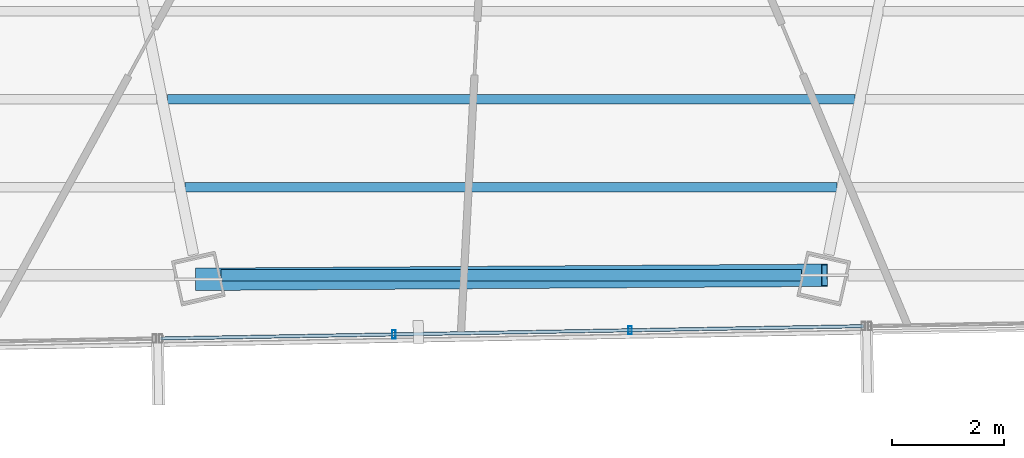
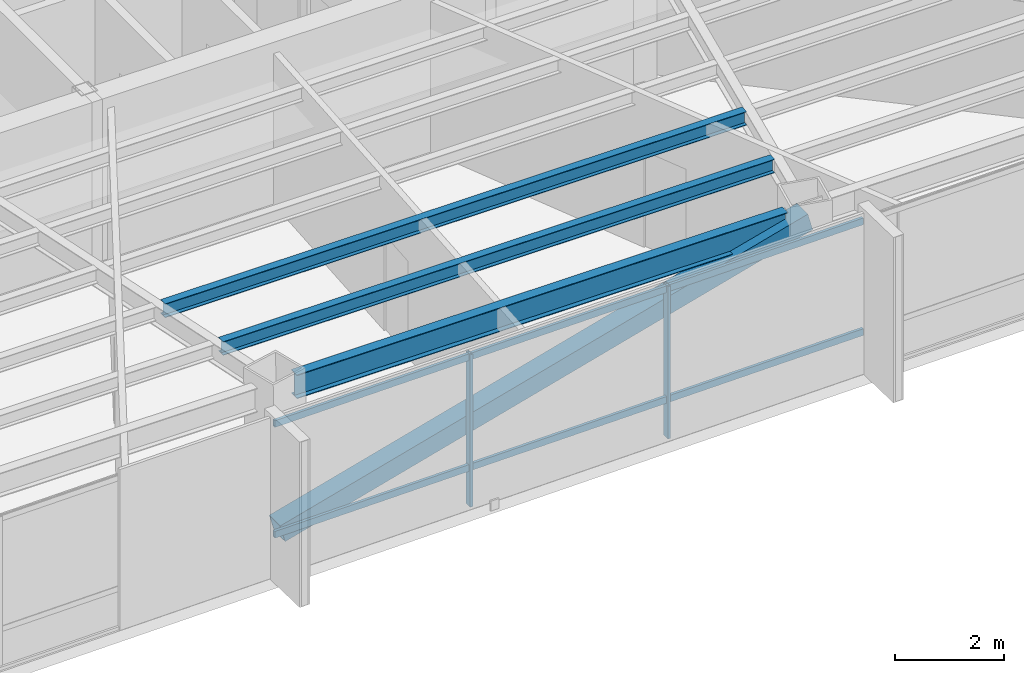
# One storey, part 11 of 42: 5 members, 3 beams, 1 element without a shape of its own.
"""IFC4 building model written with IfcOpenShell, lengths in metres."""

from ifc_helpers import new_model, si_unit, direction, frame, origin, origin_2d, place, context, subcontext, project, spatial, hollow_rectangle, i_section, extrude, source, transform, mapped, material, material_profile, profile_set, type_object, type_shapes, element, aggregate, save


model = new_model("IFC4")

# Units and contexts
model_context = context("Model", 3, precision=1e-05, world=origin(), true_north=direction((0.0, 1.0)))
body_context = subcontext(model_context, "Body", "Model", "MODEL_VIEW")
ifc_project = project(units=[si_unit("LENGTHUNIT", "METRE"), si_unit("AREAUNIT", "SQUARE_METRE"), si_unit("VOLUMEUNIT", "CUBIC_METRE"), si_unit("PLANEANGLEUNIT", "RADIAN"), si_unit("MASSUNIT", "GRAM", prefix="KILO")], contexts=[model_context])

# Site, building, storey
site_placement = place(None, origin())
site = spatial("IfcSite", under=ifc_project, at=site_placement, CompositionType="ELEMENT")
building_placement = place(site_placement, origin())
building = spatial("IfcBuilding", under=site, at=building_placement, Name="Caelisora Broadcast Tower", CompositionType="ELEMENT")
storey_placement = place(building_placement, frame((0.0, 0.0, 184.050048828125)))
storey = spatial("IfcBuildingStorey", under=building, at=storey_placement, Name="L48", CompositionType="ELEMENT", Elevation=184.050048828125)

# Beams
ifc_material_1 = material(Name="Steel Grade 350 (AS/NZS 3679.1)", Category="steel")
ifc_material_profile_1 = material_profile(ifc_material_1, i_section(OverallWidth=0.208984375, OverallDepth=0.532958984375, WebThickness=0.01025390625, FlangeThickness=0.015625, at=origin_2d()), Name="Steel Grade 350 (AS/NZS 3679.1)")
ifc_profile_set_1 = profile_set([ifc_material_profile_1], Name="Steel Grade 350 (AS/NZS 3679.1)")
beam_type_1 = type_object("IfcBeamType", Name="PG05", PredefinedType="BEAM", material=ifc_profile_set_1)
shared_shape_1 = source(origin(), body_context, "Body", "SweptSolid", [
    extrude(i_section(OverallWidth=0.208984375, OverallDepth=0.532958984375, WebThickness=0.01025390625, FlangeThickness=0.015625, at=origin_2d()), origin(), (0.0, 0.0, 1.0), 10.3603515625),
])
type_shapes(beam_type_1, [shared_shape_1])
beam_1_placement = place(storey_placement, frame((32.81982421875, 7.97119140625, 3.133544921875), z_axis=(1.0, 0.0, 0.0), x_axis=(0.0, 1.0, 0.0)))
element("IfcBeam", 1, at=beam_1_placement, inside=storey, type_object=beam_type_1, Name="L48 beam PG05", PredefinedType="BEAM", context=body_context, shape_type="MappedRepresentation", body=[
    mapped(shared_shape_1, transform((0.0, 0.0, 0.0), scale=1.0)),
])
ifc_material_profile_2 = material_profile(ifc_material_1, i_section(OverallWidth=0.166015625, OverallDepth=0.30712890625, WebThickness=0.006591796875, FlangeThickness=0.01171875, at=origin_2d()), Name="Steel Grade 350 (AS/NZS 3679.1)")
ifc_profile_set_2 = profile_set([ifc_material_profile_2], Name="Steel Grade 350 (AS/NZS 3679.1)")
beam_type_2 = type_object("IfcBeamType", Name="SB03", PredefinedType="JOIST", material=ifc_profile_set_2)
shared_shape_2 = source(origin(), body_context, "Body", "SweptSolid", [
    extrude(i_section(OverallWidth=0.166015625, OverallDepth=0.30712890625, WebThickness=0.006591796875, FlangeThickness=0.01171875, at=origin_2d()), origin(), (0.0, 0.0, 1.0), 12.27294921875),
])
beam_2_placement = place(storey_placement, frame((31.863525390625, 11.114013671875, 3.246337890625), z_axis=(1.0, 0.0, 0.0), x_axis=(0.0, 1.0, 0.0)))
element("IfcBeam", 2, at=beam_2_placement, inside=storey, type_object=beam_type_2, Name="L48 beam SB03", PredefinedType="JOIST", context=body_context, shape_type="MappedRepresentation", body=[
    mapped(shared_shape_2, transform((0.0, 0.0, 0.0), scale=1.0)),
])
shared_shape_3 = source(origin(), body_context, "Body", "SweptSolid", [
    extrude(i_section(OverallWidth=0.166015625, OverallDepth=0.30712890625, WebThickness=0.006591796875, FlangeThickness=0.01171875, at=origin_2d()), origin(), (0.0, 0.0, 1.0), 11.63818359375),
])
type_shapes(beam_type_2, [shared_shape_2, shared_shape_3])
beam_3_placement = place(storey_placement, frame((32.180908203125, 9.542724609375, 3.246337890625), z_axis=(1.0, 0.0, 0.0), x_axis=(0.0, 1.0, 0.0)))
element("IfcBeam", 3, at=beam_3_placement, inside=storey, type_object=beam_type_2, Name="L48 beam SB03", PredefinedType="JOIST", context=body_context, shape_type="MappedRepresentation", body=[
    mapped(shared_shape_3, transform((0.0, 0.0, 0.0), scale=1.0)),
])

# Member
ifc_material_2 = material(Name="Steel Grade 450 (AS/NZS 1163 C450L0)", Category="steel")
ifc_material_profile_3 = material_profile(ifc_material_2, hollow_rectangle(XDim=0.39990234375, YDim=0.39990234375, WallThickness=0.01611328125, at=origin_2d()), Name="Steel Grade 450 (AS/NZS 1163 C450L0)")
ifc_profile_set_3 = profile_set([ifc_material_profile_3], Name="Steel Grade 450 (AS/NZS 1163 C450L0)")
member_type_1 = type_object("IfcMemberType", Name="BR04", PredefinedType="BRACE", material=ifc_profile_set_3)
shared_shape_4 = source(origin(), body_context, "Body", "SweptSolid", [
    extrude(hollow_rectangle(XDim=0.39990234375, YDim=0.39990234375, WallThickness=0.01611328125, at=origin_2d()), origin(), (0.0, 0.0, 1.0), 11.57177734375),
])
type_shapes(member_type_1, [shared_shape_4])
member_1_placement = place(storey_placement, frame((32.420166015625, 7.89892578125, 0.099853515625), z_axis=(0.96579038191, 0.006244925466, 0.259248797713), x_axis=(-0.006465994106, 0.999979095242, 0.0)))
element("IfcMember", 4, at=member_1_placement, inside=storey, type_object=member_type_1, Name="L48 perimeter brace BR04", PredefinedType="BRACE", context=body_context, shape_type="MappedRepresentation", body=[
    mapped(shared_shape_4, transform((0.0, 0.0, 0.0), scale=1.0)),
])

# Curtain wall, members
ifc_material_3 = material(Name="Unitised Aluminium Insulated Shadow-Box Spandrel Curtain Wall", Category="aluminium")
curtain_wall_type = type_object("IfcCurtainWallType", Name="CW-SP2", PredefinedType="NOTDEFINED", material=ifc_material_3)
curtain_wall_placement = place(storey_placement, origin())
curtain_wall = element("IfcCurtainWall", 5, at=curtain_wall_placement, inside=storey, type_object=curtain_wall_type, Name="L48 curtain wall CW-SP2", PredefinedType="NOTDEFINED")
ifc_material_4 = material(Name="Aluminium 6063-T6 Anodised Terracotta Bronze", Category="aluminium")
ifc_material_profile_4 = material_profile(ifc_material_4, hollow_rectangle(XDim=0.06005859375, YDim=0.14990234375, WallThickness=0.00341796875, at=origin_2d()), Name="Aluminium 6063-T6 Anodised Terracotta Bronze")
ifc_profile_set_4 = profile_set([ifc_material_profile_4], Name="Aluminium 6063-T6 Anodised Terracotta Bronze")
member_type_2 = type_object("IfcMemberType", Name="CWM-03", PredefinedType="MULLION", material=ifc_profile_set_4)
shared_shape_5 = source(origin(), body_context, "Body", "SweptSolid", [
    extrude(hollow_rectangle(XDim=0.06005859375, YDim=0.14990234375, WallThickness=0.00341796875, at=origin_2d()), origin(), (0.0, 0.0, 1.0), 3.39990234375),
])
type_shapes(member_type_2, [shared_shape_5])
member_2_placement = place(storey_placement, frame((40.124267578125, 6.9892578125, 0.0), z_axis=(0.0, 0.0, 1.0), x_axis=(1.0, 0.0, 0.0)))
member_2 = element("IfcMember", 6, at=member_2_placement, type_object=member_type_2, Name="L48-CW-B06 mullion #1", PredefinedType="MULLION", context=body_context, shape_type="MappedRepresentation", body=[
    mapped(shared_shape_5, transform((0.0, 0.0, 0.0), scale=1.0)),
])
member_3_placement = place(storey_placement, frame((35.908935546875, 6.915283203125, 0.0), z_axis=(0.0, 0.0, 1.0), x_axis=(1.0, 0.0, 0.0)))
member_3 = element("IfcMember", 7, at=member_3_placement, type_object=member_type_2, Name="L48-CW-B06 mullion #2", PredefinedType="MULLION", context=body_context, shape_type="MappedRepresentation", body=[
    mapped(shared_shape_5, transform((0.0, 0.0, 0.0), scale=1.0)),
])
ifc_material_profile_5 = material_profile(ifc_material_4, hollow_rectangle(XDim=0.06005859375, YDim=0.14990234375, WallThickness=0.00341796875, at=origin_2d()), Name="Aluminium 6063-T6 Anodised Terracotta Bronze")
ifc_profile_set_5 = profile_set([ifc_material_profile_5], Name="Aluminium 6063-T6 Anodised Terracotta Bronze")
member_type_3 = type_object("IfcMemberType", Name="CWT-02", PredefinedType="USERDEFINED", material=ifc_profile_set_5)
shared_shape_6 = source(origin(), body_context, "Body", "SweptSolid", [
    extrude(hollow_rectangle(XDim=0.06005859375, YDim=0.14990234375, WallThickness=0.00341796875, at=origin_2d()), origin(), (0.0, 0.0, 1.0), 12.5478515625),
])
type_shapes(member_type_3, [shared_shape_6])
member_4_placement = place(storey_placement, frame((44.28955078125, 7.062255859375, 0.849853515625), z_axis=(-0.999846327542, -0.01753058187, 0.0), x_axis=(0.01753058187, -0.999846327542, 0.0)))
member_4 = element("IfcMember", 8, at=member_4_placement, type_object=member_type_3, Name="L48-CW-B06 transom #1", ObjectType="TRANSOM", PredefinedType="USERDEFINED", context=body_context, shape_type="MappedRepresentation", body=[
    mapped(shared_shape_6, transform((0.0, 0.0, 0.0), scale=1.0)),
])
member_5_placement = place(storey_placement, frame((44.28955078125, 7.062255859375, 3.320068359375), z_axis=(-0.999846327542, -0.01753058187, 0.0), x_axis=(0.01753058187, -0.999846327542, 0.0)))
member_5 = element("IfcMember", 9, at=member_5_placement, type_object=member_type_3, Name="L48-CW-B06 transom #2", ObjectType="TRANSOM", PredefinedType="USERDEFINED", context=body_context, shape_type="MappedRepresentation", body=[
    mapped(shared_shape_6, transform((0.0, 0.0, 0.0), scale=1.0)),
])
aggregate(curtain_wall, [member_2, member_3, member_4, member_5])

save(model, "model.ifc")
